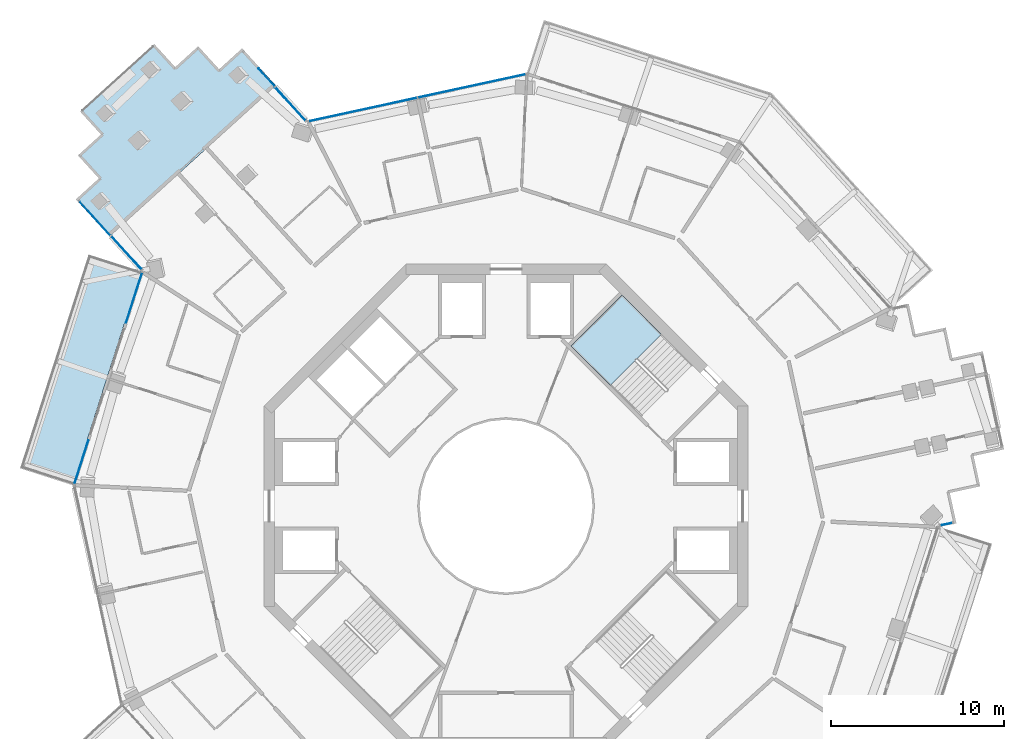
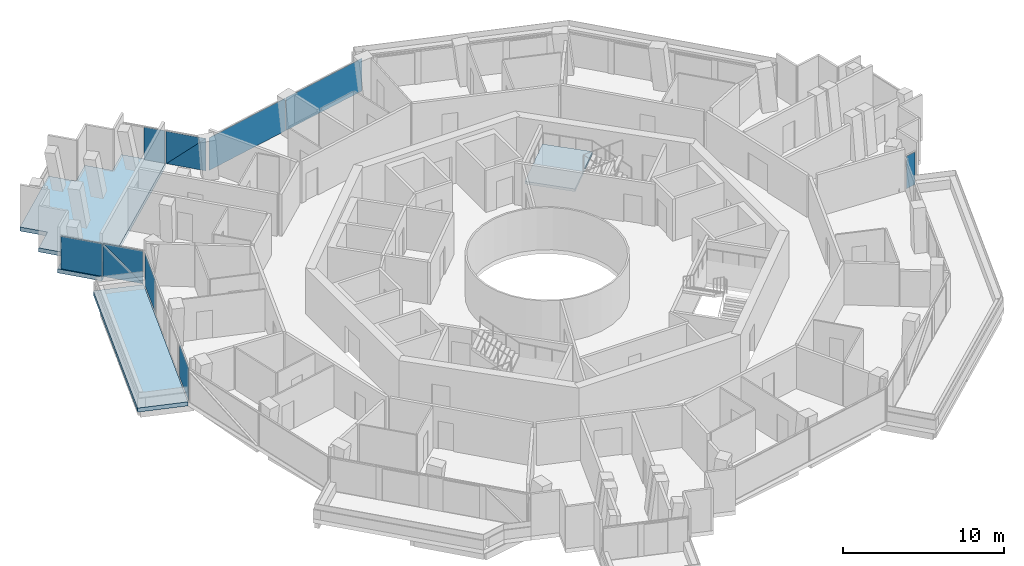
# One storey, part 13 of 23: 11 plates, 3 slabs, 6 elements without a shape of their own.
"""IFC4 building model written with IfcOpenShell, lengths in metres."""

from ifc_helpers import new_model, si_unit, direction, frame, origin, origin_2d, place, context, subcontext, project, spatial, polyline, rectangle, outline, extrude, material, layer, layer_set, type_object, element, aggregate, save


model = new_model("IFC4")

# Units and contexts
model_context = context("Model", 3, precision=1e-05, world=origin(), true_north=direction((0.0, 1.0)))
body_context = subcontext(model_context, "Body", "Model", "MODEL_VIEW")
ifc_project = project(units=[si_unit("LENGTHUNIT", "METRE"), si_unit("AREAUNIT", "SQUARE_METRE"), si_unit("VOLUMEUNIT", "CUBIC_METRE"), si_unit("PLANEANGLEUNIT", "RADIAN"), si_unit("MASSUNIT", "GRAM", prefix="KILO")], contexts=[model_context])

# Site, building, storey
site_placement = place(None, origin())
site = spatial("IfcSite", under=ifc_project, at=site_placement, CompositionType="ELEMENT")
building_placement = place(site_placement, origin())
building = spatial("IfcBuilding", under=site, at=building_placement, Name="Verdalira Terraces Hotel", CompositionType="ELEMENT")
storey_placement = place(building_placement, frame((0.0, 0.0, 205.5)))
storey = spatial("IfcBuildingStorey", under=building, at=storey_placement, Name="L50", CompositionType="ELEMENT", Elevation=205.5)

# Slab
ifc_material_1 = material(Name="Precast concrete C40/50", Category="concrete")
ifc_layer_1 = layer(ifc_material_1, 0.31005859375)
ifc_layer_set_1 = layer_set([ifc_layer_1], Name="Balcony deck 310")
slab_type_1 = type_object("IfcSlabType", Name="Balcony deck 310", PredefinedType="FLOOR", material=ifc_layer_set_1)
slab_1_placement = place(storey_placement, frame((0.0, 0.0, -0.310059)))
element("IfcSlab", 1, at=slab_1_placement, inside=storey, type_object=slab_type_1, Name="Balcony deck", PredefinedType="FLOOR", context=body_context, shape_type="SweptSolid", body=[
    extrude(outline(polyline([(-28.132324, 2.185303), (-25.084961, 1.209229), (-21.119629, 13.589844), (-24.166992, 14.565918), (-28.132324, 2.185303)])), origin(), (0.0, 0.0, 1.0), 0.310059),
])

# Curtain wall, plates
ifc_material_2 = material(Name="Clear glass", Category="glass")
ifc_layer_2 = layer(ifc_material_2, 0.14990234375)
ifc_layer_set_2 = layer_set([ifc_layer_2], Name="CW1 curtain wall")
curtain_wall_type_1 = type_object("IfcCurtainWallType", Name="CW1 curtain wall", PredefinedType="NOTDEFINED", material=ifc_layer_set_2)
curtain_wall_1_placement = place(storey_placement, origin())
curtain_wall_1 = element("IfcCurtainWall", 2, at=curtain_wall_1_placement, inside=storey, type_object=curtain_wall_type_1, Name="CW1 curtain wall L50 edge 11", PredefinedType="NOTDEFINED")
ifc_material_3 = material(Name="Clear glass", Category="glass")
ifc_layer_3 = layer(ifc_material_3, 0.028076171875)
ifc_layer_set_3 = layer_set([ifc_layer_3], Name="CW1 glass unit 28")
plate_type_1 = type_object("IfcPlateType", Name="CW1 glass unit 28", PredefinedType="CURTAIN_PANEL", material=ifc_layer_set_3)
plate_1_placement = place(storey_placement, frame((-21.530029, 12.062256, 0.0), z_axis=(0.0, 0.0, 1.0), x_axis=(-0.305030519, -0.952342576, 0.0)))
plate_1 = element("IfcPlate", 3, at=plate_1_placement, type_object=plate_type_1, Name="CW1 glass unit", PredefinedType="CURTAIN_PANEL", context=body_context, shape_type="SweptSolid", body=[
    extrude(rectangle(XDim=3.040039, YDim=0.028076, at=origin_2d()), origin(), (0.0, 0.0, 1.0), 2.475098),
])
plate_2_placement = place(storey_placement, frame((-24.580566, 2.53833, 0.0), z_axis=(0.0, 0.0, 1.0), x_axis=(-0.305030519, -0.952342576, 0.0)))
plate_2 = element("IfcPlate", 4, at=plate_2_placement, type_object=plate_type_1, Name="CW1 glass unit", PredefinedType="CURTAIN_PANEL", context=body_context, shape_type="SweptSolid", body=[
    extrude(rectangle(XDim=2.638428, YDim=0.028076, at=origin_2d()), origin(), (0.0, 0.0, 1.0), 2.475098),
])
aggregate(curtain_wall_1, [plate_1, plate_2])

curtain_wall_2_placement = place(storey_placement, origin())
curtain_wall_2 = element("IfcCurtainWall", 5, at=curtain_wall_2_placement, inside=storey, type_object=curtain_wall_type_1, Name="CW1 curtain wall L50 edge 41", PredefinedType="NOTDEFINED")
plate_3_placement = place(storey_placement, frame((-1.985107, 24.315186, 0.0), z_axis=(0.0, 0.0, 1.0), x_axis=(-0.977268124, -0.21200711, 0.0)))
plate_3 = element("IfcPlate", 6, at=plate_3_placement, type_object=plate_type_1, Name="CW1 glass unit", PredefinedType="CURTAIN_PANEL", context=body_context, shape_type="SweptSolid", body=[
    extrude(rectangle(XDim=6.369873, YDim=0.028076, at=origin_2d()), origin(), (0.0, 0.0, 1.0), 2.475098),
])
plate_4_placement = place(storey_placement, frame((-8.288574, 22.947754, 0.0), z_axis=(0.0, 0.0, 1.0), x_axis=(-0.977268124, -0.21200711, 0.0)))
plate_4 = element("IfcPlate", 7, at=plate_4_placement, type_object=plate_type_1, Name="CW1 glass unit", PredefinedType="CURTAIN_PANEL", context=body_context, shape_type="SweptSolid", body=[
    extrude(rectangle(XDim=6.409912, YDim=0.028076, at=origin_2d()), origin(), (0.0, 0.0, 1.0), 2.475098),
])
aggregate(curtain_wall_2, [plate_3, plate_4])

ifc_material_4 = material(Name="Clear glass", Category="glass")
ifc_layer_4 = layer(ifc_material_4, 0.14990234375)
ifc_layer_set_4 = layer_set([ifc_layer_4], Name="CW2 curtain wall")
curtain_wall_type_2 = type_object("IfcCurtainWallType", Name="CW2 curtain wall", PredefinedType="NOTDEFINED", material=ifc_layer_set_4)
curtain_wall_3_placement = place(storey_placement, origin())
curtain_wall_3 = element("IfcCurtainWall", 8, at=curtain_wall_3_placement, inside=storey, type_object=curtain_wall_type_2, Name="CW2 curtain wall L50 edge 0", PredefinedType="NOTDEFINED")
ifc_material_5 = material(Name="Clear glass", Category="glass")
ifc_layer_5 = layer(ifc_material_5, 0.031982421875)
ifc_layer_set_5 = layer_set([ifc_layer_5], Name="CW2 glass unit 32")
plate_type_2 = type_object("IfcPlateType", Name="CW2 glass unit 32", PredefinedType="CURTAIN_PANEL", material=ifc_layer_set_5)
plate_5_placement = place(storey_placement, frame((-12.48291, 23.28125, 1.237549), z_axis=(0.740335466, 0.672237605, 0.0), x_axis=(-0.672237605, 0.740335466, 0.0)))
plate_5 = element("IfcPlate", 9, at=plate_5_placement, type_object=plate_type_2, Name="CW2 glass unit", PredefinedType="CURTAIN_PANEL", context=body_context, shape_type="SweptSolid", body=[
    extrude(outline(polyline([(-1.299072, -1.237549), (1.299072, -1.237549), (-1.299072, 1.237549), (-1.299072, -1.237549)])), origin(), (0.0, 0.0, 1.0), 0.031982),
])
plate_6_placement = place(storey_placement, frame((-12.507324, 23.259033, 1.237549), z_axis=(0.740335466, 0.672237605, 0.0), x_axis=(-0.672237605, 0.740335466, 0.0)))
plate_6 = element("IfcPlate", 10, at=plate_6_placement, type_object=plate_type_2, Name="CW2 glass unit", PredefinedType="CURTAIN_PANEL", context=body_context, shape_type="SweptSolid", body=[
    extrude(outline(polyline([(1.299072, -1.237549), (1.299072, 1.237549), (-1.299072, 1.237549), (1.299072, -1.237549)])), origin(), (0.0, 0.0, 1.0), 0.031982),
])
plate_7_placement = place(storey_placement, frame((-13.856934, 24.818359, 0.0), z_axis=(0.0, 0.0, 1.0), x_axis=(-0.672237605, 0.740335466, 0.0)))
plate_7 = element("IfcPlate", 11, at=plate_7_placement, type_object=plate_type_2, Name="CW2 glass unit", PredefinedType="CURTAIN_PANEL", context=body_context, shape_type="SweptSolid", body=[
    extrude(rectangle(XDim=1.38501, YDim=0.031982, at=origin_2d()), origin(), (0.0, 0.0, 1.0), 2.475098),
])
aggregate(curtain_wall_3, [plate_5, plate_6, plate_7])

curtain_wall_4_placement = place(storey_placement, origin())
curtain_wall_4 = element("IfcCurtainWall", 12, at=curtain_wall_4_placement, inside=storey, type_object=curtain_wall_type_2, Name="CW2 curtain wall L50 edge 10", PredefinedType="NOTDEFINED")
plate_8_placement = place(storey_placement, frame((-23.800537, 16.653809, 0.0), z_axis=(0.0, 0.0, 1.0), x_axis=(0.672237605, -0.740335466, 0.0)))
plate_8 = element("IfcPlate", 13, at=plate_8_placement, type_object=plate_type_2, Name="CW2 glass unit", PredefinedType="CURTAIN_PANEL", context=body_context, shape_type="SweptSolid", body=[
    extrude(rectangle(XDim=2.665039, YDim=0.031982, at=origin_2d()), origin(), (0.0, 0.0, 1.0), 2.475098),
])
plate_9_placement = place(storey_placement, frame((-21.972656, 14.664551, 1.237549), z_axis=(-0.740335466, -0.672237605, 0.0), x_axis=(0.672237605, -0.740335466, 0.0)))
plate_9 = element("IfcPlate", 14, at=plate_9_placement, type_object=plate_type_2, Name="CW2 glass unit", PredefinedType="CURTAIN_PANEL", context=body_context, shape_type="SweptSolid", body=[
    extrude(outline(polyline([(-1.299072, -1.237549), (1.299072, -1.237549), (-1.299072, 1.237549), (-1.299072, -1.237549)])), origin(), (0.0, 0.0, 1.0), 0.031982),
])
plate_10_placement = place(storey_placement, frame((-21.948242, 14.686768, 1.237549), z_axis=(-0.740335466, -0.672237605, 0.0), x_axis=(0.672237605, -0.740335466, 0.0)))
plate_10 = element("IfcPlate", 15, at=plate_10_placement, type_object=plate_type_2, Name="CW2 glass unit", PredefinedType="CURTAIN_PANEL", context=body_context, shape_type="SweptSolid", body=[
    extrude(outline(polyline([(1.299072, -1.237549), (1.299072, 1.237549), (-1.299072, 1.237549), (1.299072, -1.237549)])), origin(), (0.0, 0.0, 1.0), 0.031982),
])
aggregate(curtain_wall_4, [plate_8, plate_9, plate_10])

# Curtain wall, plate
curtain_wall_5_placement = place(storey_placement, origin())
curtain_wall_5 = element("IfcCurtainWall", 16, at=curtain_wall_5_placement, inside=storey, type_object=curtain_wall_type_2, Name="CW2 curtain wall L50 edge 28", PredefinedType="NOTDEFINED")
plate_11_placement = place(storey_placement, frame((25.484375, -1.045898, 0.0), z_axis=(0.0, 0.0, 1.0), x_axis=(0.977268124, 0.21200711, 0.0)))
plate_11 = element("IfcPlate", 17, at=plate_11_placement, type_object=plate_type_2, Name="CW2 glass unit", PredefinedType="CURTAIN_PANEL", context=body_context, shape_type="SweptSolid", body=[
    extrude(rectangle(XDim=0.709961, YDim=0.031982, at=origin_2d()), origin(), (0.0, 0.0, 1.0), 2.475098),
])
aggregate(curtain_wall_5, [plate_11])

# Stair, slab
ifc_material_6 = material(Name="Concrete C40", Category="concrete")
stair_type = type_object("IfcStairType", Name="Core stair 20 risers 2050 mm wide", PredefinedType="HALF_TURN_STAIR", material=ifc_material_6)
stair_placement = place(storey_placement, origin())
stair = element("IfcStair", 18, at=stair_placement, inside=storey, type_object=stair_type, Name="L50 Exit stair ST1", PredefinedType="HALF_TURN_STAIR")
ifc_material_7 = material(Name="Concrete C40", Category="concrete")
ifc_layer_6 = layer(ifc_material_7, 0.199951171875)
ifc_layer_set_6 = layer_set([ifc_layer_6], Name="Core stair landing 200 mm")
slab_type_2 = type_object("IfcSlabType", Name="Core stair landing 200 mm", PredefinedType="LANDING", material=ifc_layer_set_6)
slab_2_placement = place(storey_placement, frame((0.0, 0.0, 1.550049)))
slab_2 = element("IfcSlab", 19, at=slab_2_placement, type_object=slab_type_2, Name="ST1 landing 1", PredefinedType="LANDING", context=body_context, shape_type="SweptSolid", body=[
    extrude(outline(polyline([(9.001709, 9.94873), (6.717529, 12.23291), (3.747559, 9.263184), (6.031982, 6.97876), (9.001709, 9.94873)])), origin(), (0.0, 0.0, 1.0), 0.199951),
])
aggregate(stair, [slab_2])

# Slab
ifc_material_8 = material(Name="Concrete C40", Category="concrete")
ifc_layer_7 = layer(ifc_material_8, 0.31005859375)
ifc_layer_set_7 = layer_set([ifc_layer_7], Name="Loggia floor deck 310 C40")
slab_type_3 = type_object("IfcSlabType", Name="Loggia floor deck 310 C40", PredefinedType="FLOOR", material=ifc_layer_set_7)
slab_3_placement = place(storey_placement, frame((0.0, 0.0, -0.310059)))
element("IfcSlab", 20, at=slab_3_placement, inside=storey, type_object=slab_type_3, Name="Loggia deck L50", PredefinedType="FLOOR", context=body_context, shape_type="SweptSolid", body=[
    extrude(outline(polyline([(-24.899658, 17.752686), (-22.950195, 15.605957), (-13.325684, 24.344971), (-15.275391, 26.491943), (-16.60791, 25.281982), (-17.818115, 26.614502), (-19.150635, 25.404541), (-20.360596, 26.737061), (-24.654541, 22.838135), (-23.44458, 21.505615), (-24.7771, 20.29541), (-23.567139, 18.962891), (-24.899658, 17.752686)])), origin(), (0.0, 0.0, 1.0), 0.310059),
])

save(model, "model.ifc")
